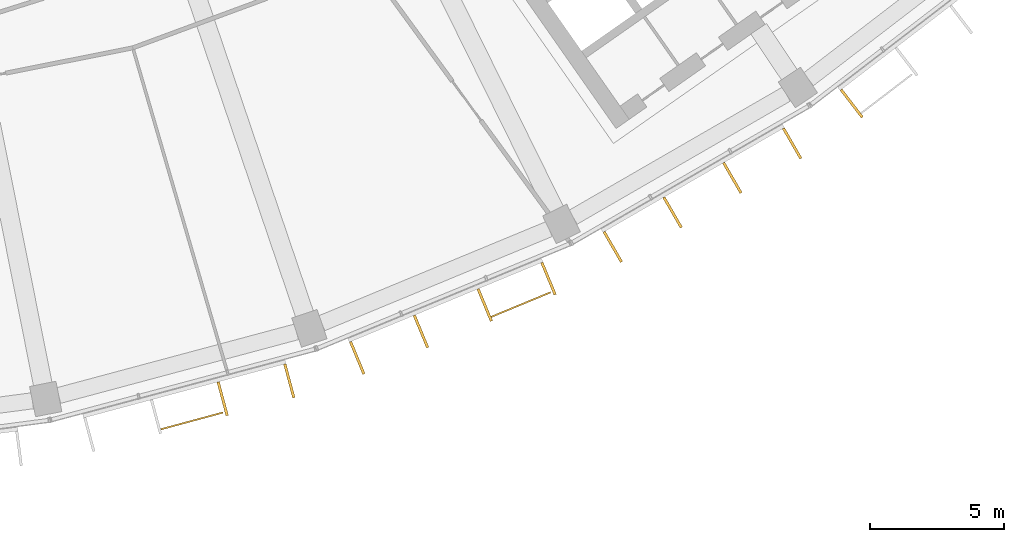
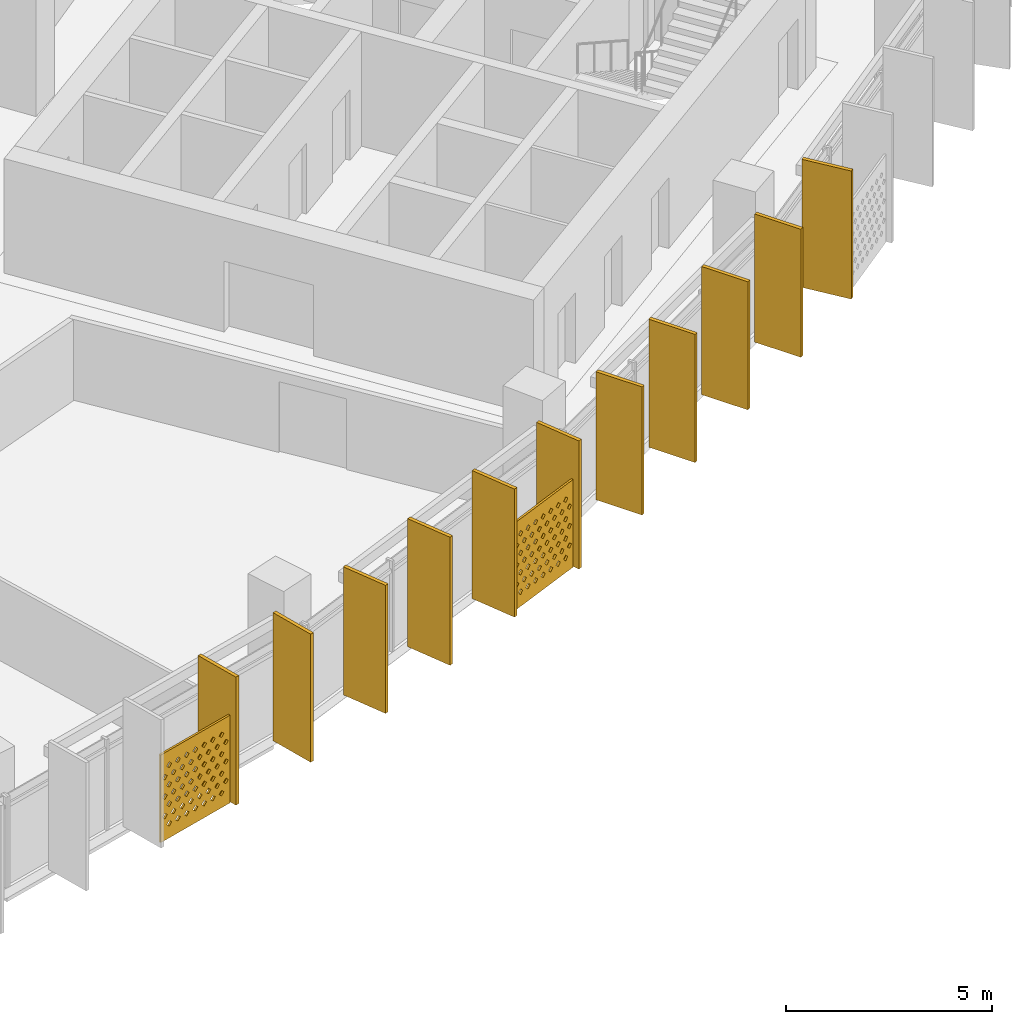
# One storey, part 26 of 28: 13 shading devices.
"""IFC4 building model written with IfcOpenShell, lengths in metres."""

from ifc_helpers import new_model, si_unit, direction, frame, origin, origin_2d, place, context, subcontext, project, spatial, polyline, rectangle, outline, extrude, material, material_profile, profile_set, type_object, element, save


model = new_model("IFC4")

# Units and contexts
model_context = context("Model", 3, precision=1e-05, world=origin(), true_north=direction((0.0, 1.0)))
body_context = subcontext(model_context, "Body", "Model", "MODEL_VIEW")
ifc_project = project(units=[si_unit("LENGTHUNIT", "METRE"), si_unit("AREAUNIT", "SQUARE_METRE"), si_unit("VOLUMEUNIT", "CUBIC_METRE"), si_unit("PLANEANGLEUNIT", "RADIAN"), si_unit("MASSUNIT", "GRAM", prefix="KILO")], contexts=[model_context])

# Site, building, storey
site_placement = place(None, origin())
site = spatial("IfcSite", under=ifc_project, at=site_placement, CompositionType="ELEMENT")
building_placement = place(site_placement, origin())
building = spatial("IfcBuilding", under=site, at=building_placement, Name="Qamariyya Broadcast Tower", CompositionType="ELEMENT")
storey_placement = place(building_placement, frame((0.0, 0.0, 249.300048828125)))
storey = spatial("IfcBuildingStorey", under=building, at=storey_placement, Name="L60", CompositionType="ELEMENT", Elevation=249.300048828125)

# Shading devices
ifc_material_1 = material(Name="Perforated glazed terracotta", Category="masonry")
ifc_material_profile_1 = material_profile(ifc_material_1, outline(polyline([(-1.199951171875, -1.300048828125), (1.199951171875, -1.300048828125), (1.199951171875, 1.300048828125), (-1.199951171875, 1.300048828125), (-1.199951171875, -1.300048828125)]), holes=[polyline([(-0.81494140625, -0.86669921875), (-0.89990234375, -0.78173828125), (-0.985107421875, -0.86669921875), (-0.89990234375, -0.95166015625), (-0.81494140625, -0.86669921875)]), polyline([(-0.514892578125, -0.86669921875), (-0.60009765625, -0.78173828125), (-0.68505859375, -0.86669921875), (-0.60009765625, -0.95166015625), (-0.514892578125, -0.86669921875)]), polyline([(-0.215087890625, -0.86669921875), (-0.300048828125, -0.78173828125), (-0.385009765625, -0.86669921875), (-0.300048828125, -0.95166015625), (-0.215087890625, -0.86669921875)]), polyline([(0.0849609375, -0.86669921875), (0.0, -0.78173828125), (-0.0849609375, -0.86669921875), (0.0, -0.95166015625), (0.0849609375, -0.86669921875)]), polyline([(0.385009765625, -0.86669921875), (0.300048828125, -0.78173828125), (0.215087890625, -0.86669921875), (0.300048828125, -0.95166015625), (0.385009765625, -0.86669921875)]), polyline([(0.68505859375, -0.86669921875), (0.60009765625, -0.78173828125), (0.514892578125, -0.86669921875), (0.60009765625, -0.95166015625), (0.68505859375, -0.86669921875)]), polyline([(0.985107421875, -0.86669921875), (0.89990234375, -0.78173828125), (0.81494140625, -0.86669921875), (0.89990234375, -0.95166015625), (0.985107421875, -0.86669921875)]), polyline([(-0.965087890625, -0.577880859375), (-1.050048828125, -0.49267578125), (-1.135009765625, -0.577880859375), (-1.050048828125, -0.662841796875), (-0.965087890625, -0.577880859375)]), polyline([(-0.6650390625, -0.577880859375), (-0.75, -0.49267578125), (-0.8349609375, -0.577880859375), (-0.75, -0.662841796875), (-0.6650390625, -0.577880859375)]), polyline([(-0.364990234375, -0.577880859375), (-0.449951171875, -0.49267578125), (-0.534912109375, -0.577880859375), (-0.449951171875, -0.662841796875), (-0.364990234375, -0.577880859375)]), polyline([(-0.06494140625, -0.577880859375), (-0.14990234375, -0.49267578125), (-0.235107421875, -0.577880859375), (-0.14990234375, -0.662841796875), (-0.06494140625, -0.577880859375)]), polyline([(0.235107421875, -0.577880859375), (0.14990234375, -0.49267578125), (0.06494140625, -0.577880859375), (0.14990234375, -0.662841796875), (0.235107421875, -0.577880859375)]), polyline([(0.534912109375, -0.577880859375), (0.449951171875, -0.49267578125), (0.364990234375, -0.577880859375), (0.449951171875, -0.662841796875), (0.534912109375, -0.577880859375)]), polyline([(0.8349609375, -0.577880859375), (0.75, -0.49267578125), (0.6650390625, -0.577880859375), (0.75, -0.662841796875), (0.8349609375, -0.577880859375)]), polyline([(1.135009765625, -0.577880859375), (1.050048828125, -0.49267578125), (0.965087890625, -0.577880859375), (1.050048828125, -0.662841796875), (1.135009765625, -0.577880859375)]), polyline([(-0.81494140625, -0.288818359375), (-0.89990234375, -0.203857421875), (-0.985107421875, -0.288818359375), (-0.89990234375, -0.373779296875), (-0.81494140625, -0.288818359375)]), polyline([(-0.514892578125, -0.288818359375), (-0.60009765625, -0.203857421875), (-0.68505859375, -0.288818359375), (-0.60009765625, -0.373779296875), (-0.514892578125, -0.288818359375)]), polyline([(-0.215087890625, -0.288818359375), (-0.300048828125, -0.203857421875), (-0.385009765625, -0.288818359375), (-0.300048828125, -0.373779296875), (-0.215087890625, -0.288818359375)]), polyline([(0.0849609375, -0.288818359375), (0.0, -0.203857421875), (-0.0849609375, -0.288818359375), (0.0, -0.373779296875), (0.0849609375, -0.288818359375)]), polyline([(0.385009765625, -0.288818359375), (0.300048828125, -0.203857421875), (0.215087890625, -0.288818359375), (0.300048828125, -0.373779296875), (0.385009765625, -0.288818359375)]), polyline([(0.68505859375, -0.288818359375), (0.60009765625, -0.203857421875), (0.514892578125, -0.288818359375), (0.60009765625, -0.373779296875), (0.68505859375, -0.288818359375)]), polyline([(0.985107421875, -0.288818359375), (0.89990234375, -0.203857421875), (0.81494140625, -0.288818359375), (0.89990234375, -0.373779296875), (0.985107421875, -0.288818359375)]), polyline([(-0.965087890625, 0.0), (-1.050048828125, 0.0849609375), (-1.135009765625, 0.0), (-1.050048828125, -0.0849609375), (-0.965087890625, 0.0)]), polyline([(-0.6650390625, 0.0), (-0.75, 0.0849609375), (-0.8349609375, 0.0), (-0.75, -0.0849609375), (-0.6650390625, 0.0)]), polyline([(-0.364990234375, 0.0), (-0.449951171875, 0.0849609375), (-0.534912109375, 0.0), (-0.449951171875, -0.0849609375), (-0.364990234375, 0.0)]), polyline([(-0.06494140625, 0.0), (-0.14990234375, 0.0849609375), (-0.235107421875, 0.0), (-0.14990234375, -0.0849609375), (-0.06494140625, 0.0)]), polyline([(0.235107421875, 0.0), (0.14990234375, 0.0849609375), (0.06494140625, 0.0), (0.14990234375, -0.0849609375), (0.235107421875, 0.0)]), polyline([(0.534912109375, 0.0), (0.449951171875, 0.0849609375), (0.364990234375, 0.0), (0.449951171875, -0.0849609375), (0.534912109375, 0.0)]), polyline([(0.8349609375, 0.0), (0.75, 0.0849609375), (0.6650390625, 0.0), (0.75, -0.0849609375), (0.8349609375, 0.0)]), polyline([(1.135009765625, 0.0), (1.050048828125, 0.0849609375), (0.965087890625, 0.0), (1.050048828125, -0.0849609375), (1.135009765625, 0.0)]), polyline([(-0.81494140625, 0.288818359375), (-0.89990234375, 0.373779296875), (-0.985107421875, 0.288818359375), (-0.89990234375, 0.203857421875), (-0.81494140625, 0.288818359375)]), polyline([(-0.514892578125, 0.288818359375), (-0.60009765625, 0.373779296875), (-0.68505859375, 0.288818359375), (-0.60009765625, 0.203857421875), (-0.514892578125, 0.288818359375)]), polyline([(-0.215087890625, 0.288818359375), (-0.300048828125, 0.373779296875), (-0.385009765625, 0.288818359375), (-0.300048828125, 0.203857421875), (-0.215087890625, 0.288818359375)]), polyline([(0.0849609375, 0.288818359375), (0.0, 0.373779296875), (-0.0849609375, 0.288818359375), (0.0, 0.203857421875), (0.0849609375, 0.288818359375)]), polyline([(0.385009765625, 0.288818359375), (0.300048828125, 0.373779296875), (0.215087890625, 0.288818359375), (0.300048828125, 0.203857421875), (0.385009765625, 0.288818359375)]), polyline([(0.68505859375, 0.288818359375), (0.60009765625, 0.373779296875), (0.514892578125, 0.288818359375), (0.60009765625, 0.203857421875), (0.68505859375, 0.288818359375)]), polyline([(0.985107421875, 0.288818359375), (0.89990234375, 0.373779296875), (0.81494140625, 0.288818359375), (0.89990234375, 0.203857421875), (0.985107421875, 0.288818359375)]), polyline([(-0.965087890625, 0.577880859375), (-1.050048828125, 0.662841796875), (-1.135009765625, 0.577880859375), (-1.050048828125, 0.49267578125), (-0.965087890625, 0.577880859375)]), polyline([(-0.6650390625, 0.577880859375), (-0.75, 0.662841796875), (-0.8349609375, 0.577880859375), (-0.75, 0.49267578125), (-0.6650390625, 0.577880859375)]), polyline([(-0.364990234375, 0.577880859375), (-0.449951171875, 0.662841796875), (-0.534912109375, 0.577880859375), (-0.449951171875, 0.49267578125), (-0.364990234375, 0.577880859375)]), polyline([(-0.06494140625, 0.577880859375), (-0.14990234375, 0.662841796875), (-0.235107421875, 0.577880859375), (-0.14990234375, 0.49267578125), (-0.06494140625, 0.577880859375)]), polyline([(0.235107421875, 0.577880859375), (0.14990234375, 0.662841796875), (0.06494140625, 0.577880859375), (0.14990234375, 0.49267578125), (0.235107421875, 0.577880859375)]), polyline([(0.534912109375, 0.577880859375), (0.449951171875, 0.662841796875), (0.364990234375, 0.577880859375), (0.449951171875, 0.49267578125), (0.534912109375, 0.577880859375)]), polyline([(0.8349609375, 0.577880859375), (0.75, 0.662841796875), (0.6650390625, 0.577880859375), (0.75, 0.49267578125), (0.8349609375, 0.577880859375)]), polyline([(1.135009765625, 0.577880859375), (1.050048828125, 0.662841796875), (0.965087890625, 0.577880859375), (1.050048828125, 0.49267578125), (1.135009765625, 0.577880859375)]), polyline([(-0.81494140625, 0.86669921875), (-0.89990234375, 0.95166015625), (-0.985107421875, 0.86669921875), (-0.89990234375, 0.78173828125), (-0.81494140625, 0.86669921875)]), polyline([(-0.514892578125, 0.86669921875), (-0.60009765625, 0.95166015625), (-0.68505859375, 0.86669921875), (-0.60009765625, 0.78173828125), (-0.514892578125, 0.86669921875)]), polyline([(-0.215087890625, 0.86669921875), (-0.300048828125, 0.95166015625), (-0.385009765625, 0.86669921875), (-0.300048828125, 0.78173828125), (-0.215087890625, 0.86669921875)]), polyline([(0.0849609375, 0.86669921875), (0.0, 0.95166015625), (-0.0849609375, 0.86669921875), (0.0, 0.78173828125), (0.0849609375, 0.86669921875)]), polyline([(0.385009765625, 0.86669921875), (0.300048828125, 0.95166015625), (0.215087890625, 0.86669921875), (0.300048828125, 0.78173828125), (0.385009765625, 0.86669921875)]), polyline([(0.68505859375, 0.86669921875), (0.60009765625, 0.95166015625), (0.514892578125, 0.86669921875), (0.60009765625, 0.78173828125), (0.68505859375, 0.86669921875)]), polyline([(0.985107421875, 0.86669921875), (0.89990234375, 0.95166015625), (0.81494140625, 0.86669921875), (0.89990234375, 0.78173828125), (0.985107421875, 0.86669921875)])]))
ifc_profile_set_1 = profile_set([ifc_material_profile_1], Name="Perforated glazed terracotta")
shading_device_type_1 = type_object("IfcShadingDeviceType", Name="Perforated terracotta screen 2400 x 2600", PredefinedType="USERDEFINED", material=ifc_profile_set_1)
shading_device_1_placement = place(storey_placement, frame((20.6064453125, -77.04345703125, 1.349853515625), z_axis=(0.260703819255, -0.965418830677, 0.0), x_axis=(0.965418830677, 0.260703819255, 0.0)))
element("IfcShadingDevice", 1, at=shading_device_1_placement, inside=storey, type_object=shading_device_type_1, Name="e-scr-L60-10-1", ObjectType="SCREEN", PredefinedType="USERDEFINED", context=body_context, shape_type="SweptSolid", body=[
    extrude(outline(polyline([(-1.199951171875, -1.300048828125), (1.199951171875, -1.300048828125), (1.199951171875, 1.300048828125), (-1.199951171875, 1.300048828125), (-1.199951171875, -1.300048828125)]), holes=[polyline([(-0.81494140625, -0.86669921875), (-0.89990234375, -0.78173828125), (-0.985107421875, -0.86669921875), (-0.89990234375, -0.95166015625), (-0.81494140625, -0.86669921875)]), polyline([(-0.514892578125, -0.86669921875), (-0.60009765625, -0.78173828125), (-0.68505859375, -0.86669921875), (-0.60009765625, -0.95166015625), (-0.514892578125, -0.86669921875)]), polyline([(-0.215087890625, -0.86669921875), (-0.300048828125, -0.78173828125), (-0.385009765625, -0.86669921875), (-0.300048828125, -0.95166015625), (-0.215087890625, -0.86669921875)]), polyline([(0.0849609375, -0.86669921875), (0.0, -0.78173828125), (-0.0849609375, -0.86669921875), (0.0, -0.95166015625), (0.0849609375, -0.86669921875)]), polyline([(0.385009765625, -0.86669921875), (0.300048828125, -0.78173828125), (0.215087890625, -0.86669921875), (0.300048828125, -0.95166015625), (0.385009765625, -0.86669921875)]), polyline([(0.68505859375, -0.86669921875), (0.60009765625, -0.78173828125), (0.514892578125, -0.86669921875), (0.60009765625, -0.95166015625), (0.68505859375, -0.86669921875)]), polyline([(0.985107421875, -0.86669921875), (0.89990234375, -0.78173828125), (0.81494140625, -0.86669921875), (0.89990234375, -0.95166015625), (0.985107421875, -0.86669921875)]), polyline([(-0.965087890625, -0.577880859375), (-1.050048828125, -0.49267578125), (-1.135009765625, -0.577880859375), (-1.050048828125, -0.662841796875), (-0.965087890625, -0.577880859375)]), polyline([(-0.6650390625, -0.577880859375), (-0.75, -0.49267578125), (-0.8349609375, -0.577880859375), (-0.75, -0.662841796875), (-0.6650390625, -0.577880859375)]), polyline([(-0.364990234375, -0.577880859375), (-0.449951171875, -0.49267578125), (-0.534912109375, -0.577880859375), (-0.449951171875, -0.662841796875), (-0.364990234375, -0.577880859375)]), polyline([(-0.06494140625, -0.577880859375), (-0.14990234375, -0.49267578125), (-0.235107421875, -0.577880859375), (-0.14990234375, -0.662841796875), (-0.06494140625, -0.577880859375)]), polyline([(0.235107421875, -0.577880859375), (0.14990234375, -0.49267578125), (0.06494140625, -0.577880859375), (0.14990234375, -0.662841796875), (0.235107421875, -0.577880859375)]), polyline([(0.534912109375, -0.577880859375), (0.449951171875, -0.49267578125), (0.364990234375, -0.577880859375), (0.449951171875, -0.662841796875), (0.534912109375, -0.577880859375)]), polyline([(0.8349609375, -0.577880859375), (0.75, -0.49267578125), (0.6650390625, -0.577880859375), (0.75, -0.662841796875), (0.8349609375, -0.577880859375)]), polyline([(1.135009765625, -0.577880859375), (1.050048828125, -0.49267578125), (0.965087890625, -0.577880859375), (1.050048828125, -0.662841796875), (1.135009765625, -0.577880859375)]), polyline([(-0.81494140625, -0.288818359375), (-0.89990234375, -0.203857421875), (-0.985107421875, -0.288818359375), (-0.89990234375, -0.373779296875), (-0.81494140625, -0.288818359375)]), polyline([(-0.514892578125, -0.288818359375), (-0.60009765625, -0.203857421875), (-0.68505859375, -0.288818359375), (-0.60009765625, -0.373779296875), (-0.514892578125, -0.288818359375)]), polyline([(-0.215087890625, -0.288818359375), (-0.300048828125, -0.203857421875), (-0.385009765625, -0.288818359375), (-0.300048828125, -0.373779296875), (-0.215087890625, -0.288818359375)]), polyline([(0.0849609375, -0.288818359375), (0.0, -0.203857421875), (-0.0849609375, -0.288818359375), (0.0, -0.373779296875), (0.0849609375, -0.288818359375)]), polyline([(0.385009765625, -0.288818359375), (0.300048828125, -0.203857421875), (0.215087890625, -0.288818359375), (0.300048828125, -0.373779296875), (0.385009765625, -0.288818359375)]), polyline([(0.68505859375, -0.288818359375), (0.60009765625, -0.203857421875), (0.514892578125, -0.288818359375), (0.60009765625, -0.373779296875), (0.68505859375, -0.288818359375)]), polyline([(0.985107421875, -0.288818359375), (0.89990234375, -0.203857421875), (0.81494140625, -0.288818359375), (0.89990234375, -0.373779296875), (0.985107421875, -0.288818359375)]), polyline([(-0.965087890625, 0.0), (-1.050048828125, 0.0849609375), (-1.135009765625, 0.0), (-1.050048828125, -0.0849609375), (-0.965087890625, 0.0)]), polyline([(-0.6650390625, 0.0), (-0.75, 0.0849609375), (-0.8349609375, 0.0), (-0.75, -0.0849609375), (-0.6650390625, 0.0)]), polyline([(-0.364990234375, 0.0), (-0.449951171875, 0.0849609375), (-0.534912109375, 0.0), (-0.449951171875, -0.0849609375), (-0.364990234375, 0.0)]), polyline([(-0.06494140625, 0.0), (-0.14990234375, 0.0849609375), (-0.235107421875, 0.0), (-0.14990234375, -0.0849609375), (-0.06494140625, 0.0)]), polyline([(0.235107421875, 0.0), (0.14990234375, 0.0849609375), (0.06494140625, 0.0), (0.14990234375, -0.0849609375), (0.235107421875, 0.0)]), polyline([(0.534912109375, 0.0), (0.449951171875, 0.0849609375), (0.364990234375, 0.0), (0.449951171875, -0.0849609375), (0.534912109375, 0.0)]), polyline([(0.8349609375, 0.0), (0.75, 0.0849609375), (0.6650390625, 0.0), (0.75, -0.0849609375), (0.8349609375, 0.0)]), polyline([(1.135009765625, 0.0), (1.050048828125, 0.0849609375), (0.965087890625, 0.0), (1.050048828125, -0.0849609375), (1.135009765625, 0.0)]), polyline([(-0.81494140625, 0.288818359375), (-0.89990234375, 0.373779296875), (-0.985107421875, 0.288818359375), (-0.89990234375, 0.203857421875), (-0.81494140625, 0.288818359375)]), polyline([(-0.514892578125, 0.288818359375), (-0.60009765625, 0.373779296875), (-0.68505859375, 0.288818359375), (-0.60009765625, 0.203857421875), (-0.514892578125, 0.288818359375)]), polyline([(-0.215087890625, 0.288818359375), (-0.300048828125, 0.373779296875), (-0.385009765625, 0.288818359375), (-0.300048828125, 0.203857421875), (-0.215087890625, 0.288818359375)]), polyline([(0.0849609375, 0.288818359375), (0.0, 0.373779296875), (-0.0849609375, 0.288818359375), (0.0, 0.203857421875), (0.0849609375, 0.288818359375)]), polyline([(0.385009765625, 0.288818359375), (0.300048828125, 0.373779296875), (0.215087890625, 0.288818359375), (0.300048828125, 0.203857421875), (0.385009765625, 0.288818359375)]), polyline([(0.68505859375, 0.288818359375), (0.60009765625, 0.373779296875), (0.514892578125, 0.288818359375), (0.60009765625, 0.203857421875), (0.68505859375, 0.288818359375)]), polyline([(0.985107421875, 0.288818359375), (0.89990234375, 0.373779296875), (0.81494140625, 0.288818359375), (0.89990234375, 0.203857421875), (0.985107421875, 0.288818359375)]), polyline([(-0.965087890625, 0.577880859375), (-1.050048828125, 0.662841796875), (-1.135009765625, 0.577880859375), (-1.050048828125, 0.49267578125), (-0.965087890625, 0.577880859375)]), polyline([(-0.6650390625, 0.577880859375), (-0.75, 0.662841796875), (-0.8349609375, 0.577880859375), (-0.75, 0.49267578125), (-0.6650390625, 0.577880859375)]), polyline([(-0.364990234375, 0.577880859375), (-0.449951171875, 0.662841796875), (-0.534912109375, 0.577880859375), (-0.449951171875, 0.49267578125), (-0.364990234375, 0.577880859375)]), polyline([(-0.06494140625, 0.577880859375), (-0.14990234375, 0.662841796875), (-0.235107421875, 0.577880859375), (-0.14990234375, 0.49267578125), (-0.06494140625, 0.577880859375)]), polyline([(0.235107421875, 0.577880859375), (0.14990234375, 0.662841796875), (0.06494140625, 0.577880859375), (0.14990234375, 0.49267578125), (0.235107421875, 0.577880859375)]), polyline([(0.534912109375, 0.577880859375), (0.449951171875, 0.662841796875), (0.364990234375, 0.577880859375), (0.449951171875, 0.49267578125), (0.534912109375, 0.577880859375)]), polyline([(0.8349609375, 0.577880859375), (0.75, 0.662841796875), (0.6650390625, 0.577880859375), (0.75, 0.49267578125), (0.8349609375, 0.577880859375)]), polyline([(1.135009765625, 0.577880859375), (1.050048828125, 0.662841796875), (0.965087890625, 0.577880859375), (1.050048828125, 0.49267578125), (1.135009765625, 0.577880859375)]), polyline([(-0.81494140625, 0.86669921875), (-0.89990234375, 0.95166015625), (-0.985107421875, 0.86669921875), (-0.89990234375, 0.78173828125), (-0.81494140625, 0.86669921875)]), polyline([(-0.514892578125, 0.86669921875), (-0.60009765625, 0.95166015625), (-0.68505859375, 0.86669921875), (-0.60009765625, 0.78173828125), (-0.514892578125, 0.86669921875)]), polyline([(-0.215087890625, 0.86669921875), (-0.300048828125, 0.95166015625), (-0.385009765625, 0.86669921875), (-0.300048828125, 0.78173828125), (-0.215087890625, 0.86669921875)]), polyline([(0.0849609375, 0.86669921875), (0.0, 0.95166015625), (-0.0849609375, 0.86669921875), (0.0, 0.78173828125), (0.0849609375, 0.86669921875)]), polyline([(0.385009765625, 0.86669921875), (0.300048828125, 0.95166015625), (0.215087890625, 0.86669921875), (0.300048828125, 0.78173828125), (0.385009765625, 0.86669921875)]), polyline([(0.68505859375, 0.86669921875), (0.60009765625, 0.95166015625), (0.514892578125, 0.86669921875), (0.60009765625, 0.78173828125), (0.68505859375, 0.86669921875)]), polyline([(0.985107421875, 0.86669921875), (0.89990234375, 0.95166015625), (0.81494140625, 0.86669921875), (0.89990234375, 0.78173828125), (0.985107421875, 0.86669921875)])]), origin(), (0.0, 0.0, 1.0), 0.059814453125),
])
shading_device_2_placement = place(storey_placement, frame((32.862548828125, -72.71044921875, 1.349853515625), z_axis=(0.382591441855, -0.923917630863, 0.0), x_axis=(0.923917630863, 0.382591441855, 0.0)))
element("IfcShadingDevice", 2, at=shading_device_2_placement, inside=storey, type_object=shading_device_type_1, Name="e-scr-L60-11-2", ObjectType="SCREEN", PredefinedType="USERDEFINED", context=body_context, shape_type="SweptSolid", body=[
    extrude(outline(polyline([(-1.199951171875, -1.300048828125), (1.199951171875, -1.300048828125), (1.199951171875, 1.300048828125), (-1.199951171875, 1.300048828125), (-1.199951171875, -1.300048828125)]), holes=[polyline([(-0.81494140625, -0.86669921875), (-0.89990234375, -0.78173828125), (-0.985107421875, -0.86669921875), (-0.89990234375, -0.95166015625), (-0.81494140625, -0.86669921875)]), polyline([(-0.514892578125, -0.86669921875), (-0.60009765625, -0.78173828125), (-0.68505859375, -0.86669921875), (-0.60009765625, -0.95166015625), (-0.514892578125, -0.86669921875)]), polyline([(-0.215087890625, -0.86669921875), (-0.300048828125, -0.78173828125), (-0.385009765625, -0.86669921875), (-0.300048828125, -0.95166015625), (-0.215087890625, -0.86669921875)]), polyline([(0.0849609375, -0.86669921875), (0.0, -0.78173828125), (-0.0849609375, -0.86669921875), (0.0, -0.95166015625), (0.0849609375, -0.86669921875)]), polyline([(0.385009765625, -0.86669921875), (0.300048828125, -0.78173828125), (0.215087890625, -0.86669921875), (0.300048828125, -0.95166015625), (0.385009765625, -0.86669921875)]), polyline([(0.68505859375, -0.86669921875), (0.60009765625, -0.78173828125), (0.514892578125, -0.86669921875), (0.60009765625, -0.95166015625), (0.68505859375, -0.86669921875)]), polyline([(0.985107421875, -0.86669921875), (0.89990234375, -0.78173828125), (0.81494140625, -0.86669921875), (0.89990234375, -0.95166015625), (0.985107421875, -0.86669921875)]), polyline([(-0.965087890625, -0.577880859375), (-1.050048828125, -0.49267578125), (-1.135009765625, -0.577880859375), (-1.050048828125, -0.662841796875), (-0.965087890625, -0.577880859375)]), polyline([(-0.6650390625, -0.577880859375), (-0.75, -0.49267578125), (-0.8349609375, -0.577880859375), (-0.75, -0.662841796875), (-0.6650390625, -0.577880859375)]), polyline([(-0.364990234375, -0.577880859375), (-0.449951171875, -0.49267578125), (-0.534912109375, -0.577880859375), (-0.449951171875, -0.662841796875), (-0.364990234375, -0.577880859375)]), polyline([(-0.06494140625, -0.577880859375), (-0.14990234375, -0.49267578125), (-0.235107421875, -0.577880859375), (-0.14990234375, -0.662841796875), (-0.06494140625, -0.577880859375)]), polyline([(0.235107421875, -0.577880859375), (0.14990234375, -0.49267578125), (0.06494140625, -0.577880859375), (0.14990234375, -0.662841796875), (0.235107421875, -0.577880859375)]), polyline([(0.534912109375, -0.577880859375), (0.449951171875, -0.49267578125), (0.364990234375, -0.577880859375), (0.449951171875, -0.662841796875), (0.534912109375, -0.577880859375)]), polyline([(0.8349609375, -0.577880859375), (0.75, -0.49267578125), (0.6650390625, -0.577880859375), (0.75, -0.662841796875), (0.8349609375, -0.577880859375)]), polyline([(1.135009765625, -0.577880859375), (1.050048828125, -0.49267578125), (0.965087890625, -0.577880859375), (1.050048828125, -0.662841796875), (1.135009765625, -0.577880859375)]), polyline([(-0.81494140625, -0.288818359375), (-0.89990234375, -0.203857421875), (-0.985107421875, -0.288818359375), (-0.89990234375, -0.373779296875), (-0.81494140625, -0.288818359375)]), polyline([(-0.514892578125, -0.288818359375), (-0.60009765625, -0.203857421875), (-0.68505859375, -0.288818359375), (-0.60009765625, -0.373779296875), (-0.514892578125, -0.288818359375)]), polyline([(-0.215087890625, -0.288818359375), (-0.300048828125, -0.203857421875), (-0.385009765625, -0.288818359375), (-0.300048828125, -0.373779296875), (-0.215087890625, -0.288818359375)]), polyline([(0.0849609375, -0.288818359375), (0.0, -0.203857421875), (-0.0849609375, -0.288818359375), (0.0, -0.373779296875), (0.0849609375, -0.288818359375)]), polyline([(0.385009765625, -0.288818359375), (0.300048828125, -0.203857421875), (0.215087890625, -0.288818359375), (0.300048828125, -0.373779296875), (0.385009765625, -0.288818359375)]), polyline([(0.68505859375, -0.288818359375), (0.60009765625, -0.203857421875), (0.514892578125, -0.288818359375), (0.60009765625, -0.373779296875), (0.68505859375, -0.288818359375)]), polyline([(0.985107421875, -0.288818359375), (0.89990234375, -0.203857421875), (0.81494140625, -0.288818359375), (0.89990234375, -0.373779296875), (0.985107421875, -0.288818359375)]), polyline([(-0.965087890625, 0.0), (-1.050048828125, 0.0849609375), (-1.135009765625, 0.0), (-1.050048828125, -0.0849609375), (-0.965087890625, 0.0)]), polyline([(-0.6650390625, 0.0), (-0.75, 0.0849609375), (-0.8349609375, 0.0), (-0.75, -0.0849609375), (-0.6650390625, 0.0)]), polyline([(-0.364990234375, 0.0), (-0.449951171875, 0.0849609375), (-0.534912109375, 0.0), (-0.449951171875, -0.0849609375), (-0.364990234375, 0.0)]), polyline([(-0.06494140625, 0.0), (-0.14990234375, 0.0849609375), (-0.235107421875, 0.0), (-0.14990234375, -0.0849609375), (-0.06494140625, 0.0)]), polyline([(0.235107421875, 0.0), (0.14990234375, 0.0849609375), (0.06494140625, 0.0), (0.14990234375, -0.0849609375), (0.235107421875, 0.0)]), polyline([(0.534912109375, 0.0), (0.449951171875, 0.0849609375), (0.364990234375, 0.0), (0.449951171875, -0.0849609375), (0.534912109375, 0.0)]), polyline([(0.8349609375, 0.0), (0.75, 0.0849609375), (0.6650390625, 0.0), (0.75, -0.0849609375), (0.8349609375, 0.0)]), polyline([(1.135009765625, 0.0), (1.050048828125, 0.0849609375), (0.965087890625, 0.0), (1.050048828125, -0.0849609375), (1.135009765625, 0.0)]), polyline([(-0.81494140625, 0.288818359375), (-0.89990234375, 0.373779296875), (-0.985107421875, 0.288818359375), (-0.89990234375, 0.203857421875), (-0.81494140625, 0.288818359375)]), polyline([(-0.514892578125, 0.288818359375), (-0.60009765625, 0.373779296875), (-0.68505859375, 0.288818359375), (-0.60009765625, 0.203857421875), (-0.514892578125, 0.288818359375)]), polyline([(-0.215087890625, 0.288818359375), (-0.300048828125, 0.373779296875), (-0.385009765625, 0.288818359375), (-0.300048828125, 0.203857421875), (-0.215087890625, 0.288818359375)]), polyline([(0.0849609375, 0.288818359375), (0.0, 0.373779296875), (-0.0849609375, 0.288818359375), (0.0, 0.203857421875), (0.0849609375, 0.288818359375)]), polyline([(0.385009765625, 0.288818359375), (0.300048828125, 0.373779296875), (0.215087890625, 0.288818359375), (0.300048828125, 0.203857421875), (0.385009765625, 0.288818359375)]), polyline([(0.68505859375, 0.288818359375), (0.60009765625, 0.373779296875), (0.514892578125, 0.288818359375), (0.60009765625, 0.203857421875), (0.68505859375, 0.288818359375)]), polyline([(0.985107421875, 0.288818359375), (0.89990234375, 0.373779296875), (0.81494140625, 0.288818359375), (0.89990234375, 0.203857421875), (0.985107421875, 0.288818359375)]), polyline([(-0.965087890625, 0.577880859375), (-1.050048828125, 0.662841796875), (-1.135009765625, 0.577880859375), (-1.050048828125, 0.49267578125), (-0.965087890625, 0.577880859375)]), polyline([(-0.6650390625, 0.577880859375), (-0.75, 0.662841796875), (-0.8349609375, 0.577880859375), (-0.75, 0.49267578125), (-0.6650390625, 0.577880859375)]), polyline([(-0.364990234375, 0.577880859375), (-0.449951171875, 0.662841796875), (-0.534912109375, 0.577880859375), (-0.449951171875, 0.49267578125), (-0.364990234375, 0.577880859375)]), polyline([(-0.06494140625, 0.577880859375), (-0.14990234375, 0.662841796875), (-0.235107421875, 0.577880859375), (-0.14990234375, 0.49267578125), (-0.06494140625, 0.577880859375)]), polyline([(0.235107421875, 0.577880859375), (0.14990234375, 0.662841796875), (0.06494140625, 0.577880859375), (0.14990234375, 0.49267578125), (0.235107421875, 0.577880859375)]), polyline([(0.534912109375, 0.577880859375), (0.449951171875, 0.662841796875), (0.364990234375, 0.577880859375), (0.449951171875, 0.49267578125), (0.534912109375, 0.577880859375)]), polyline([(0.8349609375, 0.577880859375), (0.75, 0.662841796875), (0.6650390625, 0.577880859375), (0.75, 0.49267578125), (0.8349609375, 0.577880859375)]), polyline([(1.135009765625, 0.577880859375), (1.050048828125, 0.662841796875), (0.965087890625, 0.577880859375), (1.050048828125, 0.49267578125), (1.135009765625, 0.577880859375)]), polyline([(-0.81494140625, 0.86669921875), (-0.89990234375, 0.95166015625), (-0.985107421875, 0.86669921875), (-0.89990234375, 0.78173828125), (-0.81494140625, 0.86669921875)]), polyline([(-0.514892578125, 0.86669921875), (-0.60009765625, 0.95166015625), (-0.68505859375, 0.86669921875), (-0.60009765625, 0.78173828125), (-0.514892578125, 0.86669921875)]), polyline([(-0.215087890625, 0.86669921875), (-0.300048828125, 0.95166015625), (-0.385009765625, 0.86669921875), (-0.300048828125, 0.78173828125), (-0.215087890625, 0.86669921875)]), polyline([(0.0849609375, 0.86669921875), (0.0, 0.95166015625), (-0.0849609375, 0.86669921875), (0.0, 0.78173828125), (0.0849609375, 0.86669921875)]), polyline([(0.385009765625, 0.86669921875), (0.300048828125, 0.95166015625), (0.215087890625, 0.86669921875), (0.300048828125, 0.78173828125), (0.385009765625, 0.86669921875)]), polyline([(0.68505859375, 0.86669921875), (0.60009765625, 0.95166015625), (0.514892578125, 0.86669921875), (0.60009765625, 0.78173828125), (0.68505859375, 0.86669921875)]), polyline([(0.985107421875, 0.86669921875), (0.89990234375, 0.95166015625), (0.81494140625, 0.86669921875), (0.89990234375, 0.78173828125), (0.985107421875, 0.86669921875)])]), origin(), (0.0, 0.0, 1.0), 0.06005859375),
])
ifc_material_2 = material(Name="Glazed terracotta", Category="masonry")
ifc_material_profile_2 = material_profile(ifc_material_2, rectangle(XDim=1.300048828125, YDim=0.10009765625, at=origin_2d()))
ifc_profile_set_2 = profile_set([ifc_material_profile_2], Name="Glazed terracotta")
shading_device_type_2 = type_object("IfcShadingDeviceType", Name="Terracotta fin 100 x 1300", PredefinedType="USERDEFINED", material=ifc_profile_set_2)
for number, where, z_axis, x_axis, name in (
    (3, (21.76171875, -76.247314453125, 0.0), (0.0, 0.0, 1.0), (0.258819045103, -0.965925826289, 0.0), "e-fin-L60-10-2"),
    (4, (24.24609375, -75.58154296875, 0.0), (0.0, 0.0, 1.0), (0.258819045103, -0.965925826289, 0.0), "e-fin-L60-10-3"),
    (5, (26.775390625, -74.72314453125, 0.0), (0.0, 0.0, 1.0), (0.382683432365, -0.923879532511, 0.0), "e-fin-L60-11-0"),
    (6, (29.151611328125, -73.73876953125, 0.0), (0.0, 0.0, 1.0), (0.382683432365, -0.923879532511, 0.0), "e-fin-L60-11-1"),
    (7, (31.52783203125, -72.754638671875, 0.0), (0.0, 0.0, 1.0), (0.382683432365, -0.923879532511, 0.0), "e-fin-L60-11-2"),
    (8, (33.904052734375, -71.770263671875, 0.0), (0.0, 0.0, 1.0), (0.382683432365, -0.923879532511, 0.0), "e-fin-L60-11-3"),
    (9, (36.2998046875, -70.5888671875, 0.0), (0.0, 0.0, 1.0), (0.5, -0.866025403784, 0.0), "e-fin-L60-12-0"),
    (10, (38.527099609375, -69.302978515625, 0.0), (0.0, 0.0, 1.0), (0.5, -0.866025403784, 0.0), "e-fin-L60-12-1"),
    (11, (40.75439453125, -68.016845703125, 0.0), (0.0, 0.0, 1.0), (0.5, -0.866025403784, 0.0), "e-fin-L60-12-2"),
    (12, (42.98193359375, -66.73095703125, 0.0), (0.0, 0.0, 1.0), (0.5, -0.866025403784, 0.0), "e-fin-L60-12-3"),
    (13, (45.202880859375, -65.246826171875, 0.0), (0.0, 0.0, 1.0), (0.608761429009, -0.793353340291, 0.0), "e-fin-L60-13-0"),
):
    element("IfcShadingDevice", number, at=place(storey_placement, frame(where, z_axis=z_axis, x_axis=x_axis)), inside=storey, type_object=shading_device_type_2, Name=name, ObjectType="FIN", PredefinedType="USERDEFINED", context=body_context, shape_type="SweptSolid", body=[
        extrude(rectangle(XDim=1.300048828125, YDim=0.10009765625, at=origin_2d()), origin(), (0.0, 0.0, 1.0), 3.800048828125),
    ])

save(model, "model.ifc")
